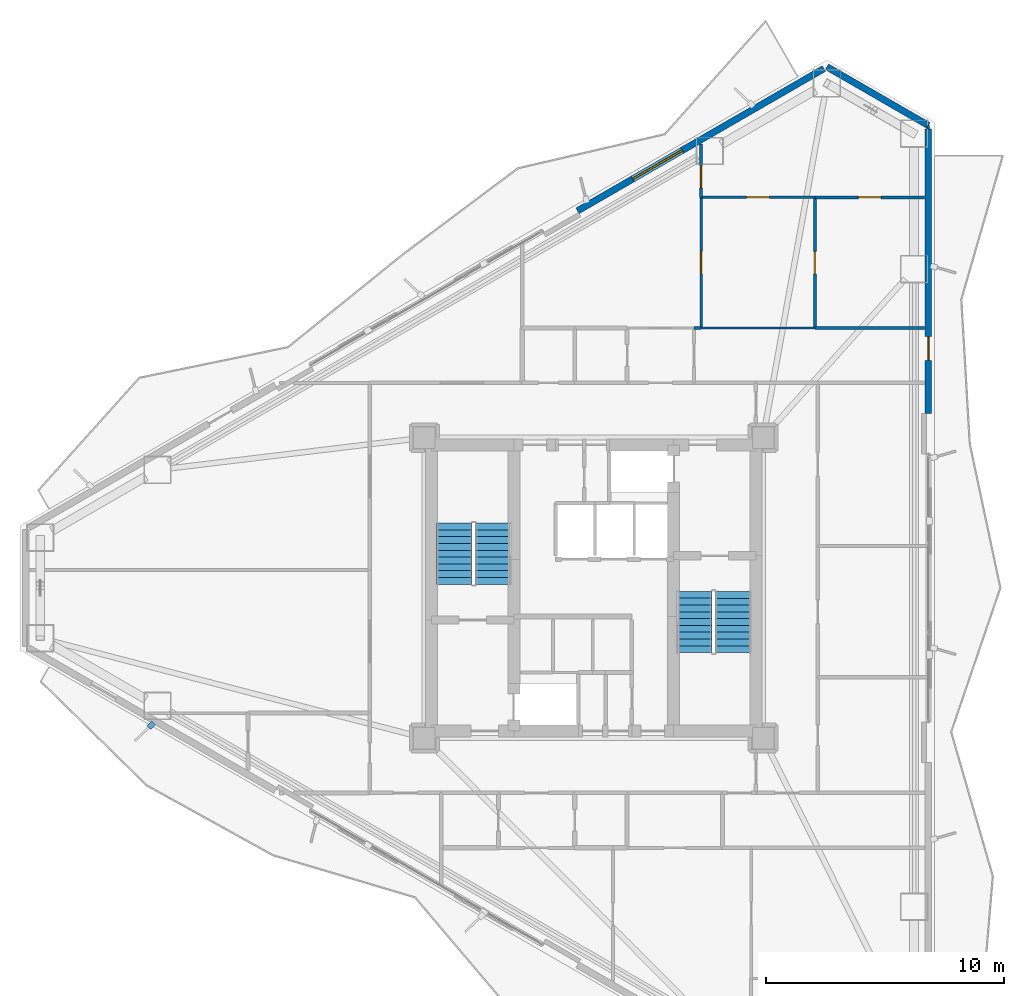
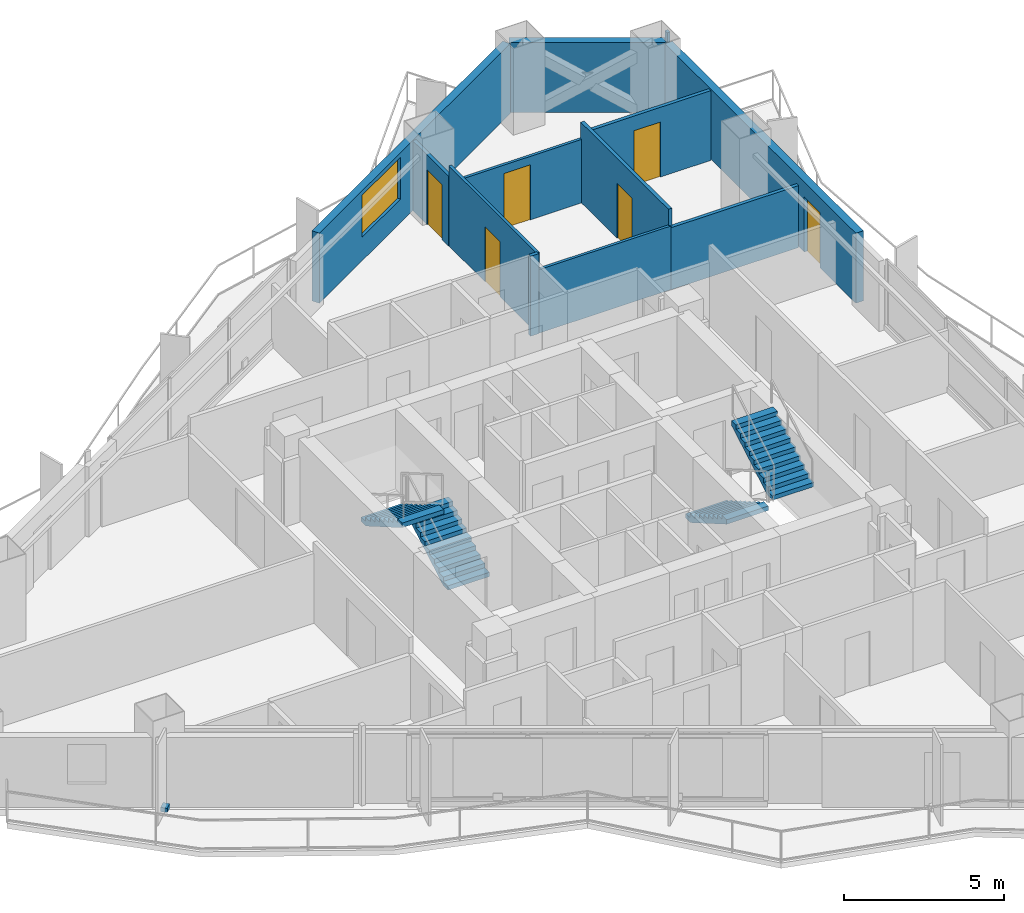
# One storey, part 19 of 22: 12 walls, 6 doors, 4 stair flights, 1 discrete accessory, 1 window, 7 openings, 2 elements without a shape of their own.
"""IFC4 building model written with IfcOpenShell, lengths in metres."""

from ifc_helpers import new_model, si_unit, direction, frame, frame_2d, origin, origin_2d, place, context, subcontext, project, spatial, polyline, rectangle, outline, extrude, material, layer, layer_set, type_object, element, fill, aggregate, save


model = new_model("IFC4")

# Units and contexts
model_context = context("Model", 3, precision=1e-05, world=origin(), true_north=direction((0.0, 1.0)))
body_context = subcontext(model_context, "Body", "Model", "MODEL_VIEW")
ifc_project = project(units=[si_unit("LENGTHUNIT", "METRE"), si_unit("AREAUNIT", "SQUARE_METRE"), si_unit("VOLUMEUNIT", "CUBIC_METRE"), si_unit("PLANEANGLEUNIT", "RADIAN"), si_unit("MASSUNIT", "GRAM", prefix="KILO")], contexts=[model_context])

# Site, building, storey
site_placement = place(None, origin())
site = spatial("IfcSite", under=ifc_project, at=site_placement, CompositionType="ELEMENT")
building_placement = place(site_placement, origin())
building = spatial("IfcBuilding", under=site, at=building_placement, Name="Mersakhor Tower and Convention Hall", CompositionType="ELEMENT")
storey_placement = place(building_placement, frame((0.0, 0.0, 86.699951171875)))
storey = spatial("IfcBuildingStorey", under=building, at=storey_placement, Name="L23", CompositionType="ELEMENT", Elevation=86.699951171875)

# Wall
ifc_material_1 = material(Name="Precast concrete C45/55", Category="concrete")
ifc_layer_1 = layer(ifc_material_1, 0.27490234375)
ifc_layer_set_1 = layer_set([ifc_layer_1], Name="Precast concrete C45/55")
wall_type_1 = type_object("IfcWallType", Name="WL-EXT-275", PredefinedType="SOLIDWALL", material=ifc_layer_set_1)
wall_1_placement = place(storey_placement, frame((38.77880859375, 48.6015625, 0.0), z_axis=(0.0, 0.0, 1.0), x_axis=(0.866011848704, -0.500023477353, 0.0)))
element("IfcWall", 1, at=wall_1_placement, inside=storey, type_object=wall_type_1, Name="L23 Chamfer Braced Spandrel Wall C1", PredefinedType="SOLIDWALL", context=body_context, shape_type="SweptSolid", body=[
    extrude(rectangle(XDim=4.914306640625, YDim=0.27490234375, at=frame_2d((2.45703125, 0.0))), origin(), (0.0, 0.0, 1.0), 2.670166015625),
])

# Wall, opening, window
wall_2_placement = place(storey_placement, frame((28.3173828125, 42.561767578125, 0.0), z_axis=(0.0, 0.0, 1.0), x_axis=(0.866023023012, 0.500004123596, 0.0)))
wall_2 = element("IfcWall", 2, at=wall_2_placement, inside=storey, type_object=wall_type_1, Name="L23 Exterior Facade Wall F1-B3", PredefinedType="SOLIDWALL", context=body_context, shape_type="SweptSolid", body=[
    extrude(rectangle(XDim=11.9296875, YDim=0.27490234375, at=frame_2d((5.96484375, 0.0))), origin(), (0.0, 0.0, 1.0), 2.670166015625),
])
opening_1_placement = place(wall_2_placement, frame((2.66796875, 0.0, 0.89990234375)))
opening_1 = element("IfcOpeningElement", 3, at=opening_1_placement, cuts=wall_2, Name="Opening W-05", PredefinedType="OPENING", context=body_context, shape_type="SweptSolid", body=[
    extrude(rectangle(XDim=2.39990234375, YDim=1.60009765625, at=frame_2d((1.199951171875, 0.800048828125))), frame((0.0, 0.1474609375, 0.0), z_axis=(0.0, -1.0, 0.0), x_axis=(1.0, 0.0, 0.0)), (0.0, 0.0, 1.0), 0.294921875),
])
ifc_material_2 = material(Name="Dark solar low-E glazed aluminium window", Category="aluminium")
window_type = type_object("IfcWindowType", Name="WN-RES-240x160", PartitioningType="SINGLE_PANEL", PredefinedType="WINDOW", material=ifc_material_2)
window_placement = place(opening_1_placement, origin())
window = element("IfcWindow", 4, at=window_placement, inside=storey, type_object=window_type, Name="L23 Facade Punched Window F1-B3", OverallHeight=1.60009765625, OverallWidth=2.39990234375, PartitioningType="SINGLE_PANEL", PredefinedType="WINDOW", context=body_context, shape_type="SweptSolid", body=[
    extrude(rectangle(XDim=2.39990234375, YDim=1.60009765625, at=frame_2d((1.199951171875, 0.800048828125))), frame((0.0, 0.030029296875, 0.0), z_axis=(0.0, -1.0, 0.0), x_axis=(1.0, 0.0, 0.0)), (0.0, 0.0, 1.0), 0.06005859375),
])
fill(opening_1, window)

# Wall, opening, door
wall_3_placement = place(storey_placement, frame((43.03466796875, 45.994384765625, 0.0), z_axis=(0.0, 0.0, 1.0), x_axis=(0.0, -1.0, 0.0)))
wall_3 = element("IfcWall", 5, at=wall_3_placement, inside=storey, type_object=wall_type_1, Name="L23 Exterior Facade Wall F2-B1", PredefinedType="SOLIDWALL", context=body_context, shape_type="SweptSolid", body=[
    extrude(rectangle(XDim=11.9296875, YDim=0.27490234375, at=frame_2d((5.96484375, 0.0))), origin(), (0.0, 0.0, 1.0), 2.670166015625),
])
opening_2_placement = place(wall_3_placement, frame((8.7041015625, 0.0, 0.0)))
opening_2 = element("IfcOpeningElement", 6, at=opening_2_placement, cuts=wall_3, Name="Opening BD-01", PredefinedType="OPENING", context=body_context, shape_type="SweptSolid", body=[
    extrude(rectangle(XDim=1.0, YDim=2.10009765625, at=frame_2d((0.5, 1.050048828125))), frame((0.0, 0.1474609375, 0.0), z_axis=(0.0, -1.0, 0.0), x_axis=(1.0, 0.0, 0.0)), (0.0, 0.0, 1.0), 0.294921875),
])
ifc_material_3 = material(Name="Thermally broken dark aluminium and safety glass", Category="aluminium")
door_type_1 = type_object("IfcDoorType", Name="DR-BAL-100x210", OperationType="NOTDEFINED", PredefinedType="DOOR", material=ifc_material_3)
door_1_placement = place(opening_2_placement, origin())
door_1 = element("IfcDoor", 7, at=door_1_placement, inside=storey, type_object=door_type_1, Name="L23 Balcony Terrace Door F2-B1", OperationType="SINGLE_SWING_LEFT", OverallHeight=2.10009765625, OverallWidth=1.0, PredefinedType="DOOR", context=body_context, shape_type="SweptSolid", body=[
    extrude(rectangle(XDim=1.0, YDim=2.10009765625, at=frame_2d((0.5, 1.050048828125))), frame((0.0, 0.02490234375, 0.0), z_axis=(0.0, -1.0, 0.0), x_axis=(1.0, 0.0, 0.0)), (0.0, 0.0, 1.0), 0.050048828125),
])
fill(opening_2, door_1)

# Wall
ifc_material_4 = material(Name="Lightweight gypsum partition", Category="other")
ifc_layer_2 = layer(ifc_material_4, 0.10009765625)
ifc_layer_set_2 = layer_set([ifc_layer_2], Name="Lightweight gypsum partition")
wall_type_2 = type_object("IfcWallType", Name="WL-PRT-100", PredefinedType="PARTITIONING", material=ifc_layer_set_2)
wall_4_placement = place(storey_placement, frame((33.5, 37.64990234375, 0.0), z_axis=(0.0, 0.0, 1.0), x_axis=(1.0, 0.0, 0.0)))
element("IfcWall", 8, at=wall_4_placement, inside=storey, type_object=wall_type_2, Name="L23 Interior Partition Wall P-076", PredefinedType="PARTITIONING", context=body_context, shape_type="SweptSolid", body=[
    extrude(rectangle(XDim=4.77001953125, YDim=0.10009765625, at=frame_2d((2.385009765625, 0.0))), origin(), (0.0, 0.0, 1.0), 2.4228515625),
])

# Wall, opening, door
wall_5_placement = place(storey_placement, frame((33.5, 43.1298828125, 0.0), z_axis=(0.0, 0.0, 1.0), x_axis=(0.0, -1.0, 0.0)))
wall_5 = element("IfcWall", 9, at=wall_5_placement, inside=storey, type_object=wall_type_2, Name="L23 Interior Partition Wall P-098", PredefinedType="PARTITIONING", context=body_context, shape_type="SweptSolid", body=[
    extrude(rectangle(XDim=5.47998046875, YDim=0.10009765625, at=frame_2d((2.739990234375, 0.0))), origin(), (0.0, 0.0, 1.0), 3.050048828125),
])
opening_3_placement = place(wall_5_placement, frame((2.264892578125, 0.0, 0.0)))
opening_3 = element("IfcOpeningElement", 10, at=opening_3_placement, cuts=wall_5, Name="Opening RD-01", PredefinedType="OPENING", context=body_context, shape_type="SweptSolid", body=[
    extrude(rectangle(XDim=0.949951171875, YDim=2.10009765625, at=frame_2d((0.47509765625, 1.050048828125))), frame((0.0, 0.06005859375, 0.0), z_axis=(0.0, -1.0, 0.0), x_axis=(1.0, 0.0, 0.0)), (0.0, 0.0, 1.0), 0.1201171875),
])
ifc_material_5 = material(Name="Solid-core hardwood leaf in painted steel frame", Category="steel")
door_type_2 = type_object("IfcDoorType", Name="DR-INT-RM-095x210", OperationType="NOTDEFINED", PredefinedType="DOOR", material=ifc_material_5)
door_2_placement = place(opening_3_placement, origin())
door_2 = element("IfcDoor", 11, at=door_2_placement, inside=storey, type_object=door_type_2, Name="L23 L23 Flat N1 Living and Dining Room to L23 Flat N1 Bedroom 1 Door", OperationType="SINGLE_SWING_LEFT", OverallHeight=2.10009765625, OverallWidth=0.949951171875, PredefinedType="DOOR", context=body_context, shape_type="SweptSolid", body=[
    extrude(rectangle(XDim=0.949951171875, YDim=2.10009765625, at=frame_2d((0.47509765625, 1.050048828125))), frame((0.0, 0.02490234375, 0.0), z_axis=(0.0, -1.0, 0.0), x_axis=(1.0, 0.0, 0.0)), (0.0, 0.0, 1.0), 0.050048828125),
])
fill(opening_3, door_2)

wall_6_placement = place(storey_placement, frame((33.5, 43.1298828125, 0.0), z_axis=(0.0, 0.0, 1.0), x_axis=(1.0, 0.0, 0.0)))
wall_6 = element("IfcWall", 12, at=wall_6_placement, inside=storey, type_object=wall_type_2, Name="L23 Interior Partition Wall P-100", PredefinedType="PARTITIONING", context=body_context, shape_type="SweptSolid", body=[
    extrude(rectangle(XDim=4.77001953125, YDim=0.10009765625, at=frame_2d((2.385009765625, 0.0))), origin(), (0.0, 0.0, 1.0), 2.4228515625),
])
opening_4_placement = place(wall_6_placement, frame((1.909912109375, 0.0, 0.0)))
opening_4 = element("IfcOpeningElement", 13, at=opening_4_placement, cuts=wall_6, Name="Opening RD-01", PredefinedType="OPENING", context=body_context, shape_type="SweptSolid", body=[
    extrude(rectangle(XDim=0.949951171875, YDim=2.10009765625, at=frame_2d((0.47509765625, 1.050048828125))), frame((0.0, 0.06005859375, 0.0), z_axis=(0.0, -1.0, 0.0), x_axis=(1.0, 0.0, 0.0)), (0.0, 0.0, 1.0), 0.1201171875),
])
door_3_placement = place(opening_4_placement, origin())
door_3 = element("IfcDoor", 14, at=door_3_placement, inside=storey, type_object=door_type_2, Name="L23 L23 Flat N1 Bedroom 1 to L23 Flat N1 Dining Room Door", OperationType="SINGLE_SWING_RIGHT", OverallHeight=2.10009765625, OverallWidth=0.949951171875, PredefinedType="DOOR", context=body_context, shape_type="SweptSolid", body=[
    extrude(rectangle(XDim=0.949951171875, YDim=2.10009765625, at=frame_2d((0.47509765625, 1.050048828125))), frame((0.0, 0.02490234375, 0.0), z_axis=(0.0, -1.0, 0.0), x_axis=(1.0, 0.0, 0.0)), (0.0, 0.0, 1.0), 0.050048828125),
])
fill(opening_4, door_3)

# Walls
wall_7_placement = place(storey_placement, frame((43.034912109375, 46.14404296875, 0.0), z_axis=(0.0, 0.0, 1.0), x_axis=(0.0, -1.0, 0.0)))
element("IfcWall", 15, at=wall_7_placement, inside=storey, type_object=wall_type_2, Name="L23 Interior Partition Wall P-102", PredefinedType="PARTITIONING", context=body_context, shape_type="SweptSolid", body=[
    extrude(rectangle(XDim=0.149658203125, YDim=0.10009765625, at=frame_2d((0.07470703125, 0.0))), origin(), (0.0, 0.0, 1.0), 3.050048828125),
])
ifc_material_6 = material(Name="Gypsum board acoustic partition", Category="other")
ifc_layer_3 = layer(ifc_material_6, 0.125)
ifc_layer_set_3 = layer_set([ifc_layer_3], Name="Gypsum board acoustic partition")
wall_type_3 = type_object("IfcWallType", Name="WL-PRT-125", PredefinedType="PARTITIONING", material=ifc_layer_set_3)
wall_8_placement = place(storey_placement, frame((33.199951171875, 37.64990234375, 0.0), z_axis=(0.0, 0.0, 1.0), x_axis=(1.0, 0.0, 0.0)))
element("IfcWall", 16, at=wall_8_placement, inside=storey, type_object=wall_type_3, Name="L23 Interior Partition Wall P-075", PredefinedType="PARTITIONING", context=body_context, shape_type="SweptSolid", body=[
    extrude(rectangle(XDim=0.300048828125, YDim=0.125, at=frame_2d((0.14990234375, 0.0))), origin(), (0.0, 0.0, 1.0), 3.050048828125),
])
wall_9_placement = place(storey_placement, frame((38.27001953125, 37.64990234375, 0.0), z_axis=(0.0, 0.0, 1.0), x_axis=(1.0, 0.0, 0.0)))
element("IfcWall", 17, at=wall_9_placement, inside=storey, type_object=wall_type_3, Name="L23 Interior Partition Wall P-077", PredefinedType="PARTITIONING", context=body_context, shape_type="SweptSolid", body=[
    extrude(rectangle(XDim=4.60302734375, YDim=0.125, at=frame_2d((2.301513671875, 0.0))), origin(), (0.0, 0.0, 1.0), 2.364990234375),
])

# Wall, opening, door
wall_10_placement = place(storey_placement, frame((33.5, 45.3671875, 0.0), z_axis=(0.0, 0.0, 1.0), x_axis=(0.0, -1.0, 0.0)))
wall_10 = element("IfcWall", 18, at=wall_10_placement, inside=storey, type_object=wall_type_3, Name="L23 Interior Partition Wall P-097", PredefinedType="PARTITIONING", context=body_context, shape_type="SweptSolid", body=[
    extrude(rectangle(XDim=2.2373046875, YDim=0.125, at=frame_2d((1.11865234375, 0.0))), origin(), (0.0, 0.0, 1.0), 2.660400390625),
])
opening_5_placement = place(wall_10_placement, frame((0.897216796875, 0.0, 0.0)))
opening_5 = element("IfcOpeningElement", 19, at=opening_5_placement, cuts=wall_10, Name="Opening RD-01", PredefinedType="OPENING", context=body_context, shape_type="SweptSolid", body=[
    extrude(rectangle(XDim=0.949951171875, YDim=2.10009765625, at=frame_2d((0.47509765625, 1.050048828125))), frame((0.0, 0.072509765625, 0.0), z_axis=(0.0, -1.0, 0.0), x_axis=(1.0, 0.0, 0.0)), (0.0, 0.0, 1.0), 0.14501953125),
])
door_4_placement = place(opening_5_placement, origin())
door_4 = element("IfcDoor", 20, at=door_4_placement, inside=storey, type_object=door_type_2, Name="L23 L23 Flat N1 Living and Dining Room to L23 Flat N1 Dining Room Door", OperationType="SINGLE_SWING_RIGHT", OverallHeight=2.10009765625, OverallWidth=0.949951171875, PredefinedType="DOOR", context=body_context, shape_type="SweptSolid", body=[
    extrude(rectangle(XDim=0.949951171875, YDim=2.10009765625, at=frame_2d((0.47509765625, 1.050048828125))), frame((0.0, 0.02490234375, 0.0), z_axis=(0.0, -1.0, 0.0), x_axis=(1.0, 0.0, 0.0)), (0.0, 0.0, 1.0), 0.050048828125),
])
fill(opening_5, door_4)

wall_11_placement = place(storey_placement, frame((38.27001953125, 43.1298828125, 0.0), z_axis=(0.0, 0.0, 1.0), x_axis=(0.0, -1.0, 0.0)))
wall_11 = element("IfcWall", 21, at=wall_11_placement, inside=storey, type_object=wall_type_3, Name="L23 Interior Partition Wall P-099", PredefinedType="PARTITIONING", context=body_context, shape_type="SweptSolid", body=[
    extrude(rectangle(XDim=5.47998046875, YDim=0.125, at=frame_2d((2.739990234375, 0.0))), origin(), (0.0, 0.0, 1.0), 3.050048828125),
])
opening_6_placement = place(wall_11_placement, frame((2.264892578125, 0.0, 0.0)))
opening_6 = element("IfcOpeningElement", 22, at=opening_6_placement, cuts=wall_11, Name="Opening RD-01", PredefinedType="OPENING", context=body_context, shape_type="SweptSolid", body=[
    extrude(rectangle(XDim=0.949951171875, YDim=2.10009765625, at=frame_2d((0.47509765625, 1.050048828125))), frame((0.0, 0.072509765625, 0.0), z_axis=(0.0, -1.0, 0.0), x_axis=(1.0, 0.0, 0.0)), (0.0, 0.0, 1.0), 0.14501953125),
])
door_5_placement = place(opening_6_placement, origin())
door_5 = element("IfcDoor", 23, at=door_5_placement, inside=storey, type_object=door_type_2, Name="L23 L23 Flat N1 Bedroom 1 to L23 Flat N1 Study Room Door", OperationType="SINGLE_SWING_LEFT", OverallHeight=2.10009765625, OverallWidth=0.949951171875, PredefinedType="DOOR", context=body_context, shape_type="SweptSolid", body=[
    extrude(rectangle(XDim=0.949951171875, YDim=2.10009765625, at=frame_2d((0.47509765625, 1.050048828125))), frame((0.0, 0.02490234375, 0.0), z_axis=(0.0, -1.0, 0.0), x_axis=(1.0, 0.0, 0.0)), (0.0, 0.0, 1.0), 0.050048828125),
])
fill(opening_6, door_5)

wall_12_placement = place(storey_placement, frame((38.27001953125, 43.1298828125, 0.0), z_axis=(0.0, 0.0, 1.0), x_axis=(1.0, 0.0, 0.0)))
wall_12 = element("IfcWall", 24, at=wall_12_placement, inside=storey, type_object=wall_type_3, Name="L23 Interior Partition Wall P-101", PredefinedType="PARTITIONING", context=body_context, shape_type="SweptSolid", body=[
    extrude(rectangle(XDim=4.60302734375, YDim=0.125, at=frame_2d((2.301513671875, 0.0))), origin(), (0.0, 0.0, 1.0), 2.660400390625),
])
opening_7_placement = place(wall_12_placement, frame((1.826416015625, 0.0, 0.0)))
opening_7 = element("IfcOpeningElement", 25, at=opening_7_placement, cuts=wall_12, Name="Opening RD-01", PredefinedType="OPENING", context=body_context, shape_type="SweptSolid", body=[
    extrude(rectangle(XDim=0.949951171875, YDim=2.10009765625, at=frame_2d((0.47509765625, 1.050048828125))), frame((0.0, 0.072509765625, 0.0), z_axis=(0.0, -1.0, 0.0), x_axis=(1.0, 0.0, 0.0)), (0.0, 0.0, 1.0), 0.14501953125),
])
door_6_placement = place(opening_7_placement, origin())
door_6 = element("IfcDoor", 26, at=door_6_placement, inside=storey, type_object=door_type_2, Name="L23 L23 Flat N1 Study Room to L23 Flat N1 Dining Room Door", OperationType="SINGLE_SWING_LEFT", OverallHeight=2.10009765625, OverallWidth=0.949951171875, PredefinedType="DOOR", context=body_context, shape_type="SweptSolid", body=[
    extrude(rectangle(XDim=0.949951171875, YDim=2.10009765625, at=frame_2d((0.47509765625, 1.050048828125))), frame((0.0, 0.02490234375, 0.0), z_axis=(0.0, -1.0, 0.0), x_axis=(1.0, 0.0, 0.0)), (0.0, 0.0, 1.0), 0.050048828125),
])
fill(opening_7, door_6)

# Stair, stair flights
ifc_material_7 = material(Name="Concrete C45/55", Category="concrete")
stair_type = type_object("IfcStairType", Name="ST-TWR-20R", PredefinedType="HALF_TURN_STAIR", material=ifc_material_7)
stair_1_placement = place(storey_placement, origin())
stair_1 = element("IfcStair", 27, at=stair_1_placement, inside=storey, type_object=stair_type, Name="L23 Tower Protected Exit Stair ST-1", PredefinedType="HALF_TURN_STAIR")
ifc_material_8 = material(Name="Concrete C45/55", Category="concrete")
stair_flight_type = type_object("IfcStairFlightType", Name="SFL-TWR-20R", PredefinedType="STRAIGHT", material=ifc_material_8)
stair_flight_1_placement = place(storey_placement, frame((24.800048828125, 26.89990234375, 0.0), z_axis=(0.0, 0.0, 1.0), x_axis=(0.0, 1.0, 0.0)))
stair_flight_1 = element("IfcStairFlight", 28, at=stair_flight_1_placement, type_object=stair_flight_type, Name="ST-1 flight 1", NumberOfRisers=10, NumberOfTreads=9, PredefinedType="STRAIGHT", RiserHeight=0.165, TreadLength=0.285, context=body_context, shape_type="SweptSolid", body=[
    extrude(outline(polyline([(0.0, 0.0), (0.0, 0.1650390625), (0.284912109375, 0.1650390625), (0.284912109375, 0.330078125), (0.570068359375, 0.330078125), (0.570068359375, 0.4951171875), (0.85498046875, 0.4951171875), (0.85498046875, 0.659912109375), (1.139892578125, 0.659912109375), (1.139892578125, 0.824951171875), (1.425048828125, 0.824951171875), (1.425048828125, 0.989990234375), (1.7099609375, 0.989990234375), (1.7099609375, 1.155029296875), (1.9951171875, 1.155029296875), (1.9951171875, 1.320068359375), (2.280029296875, 1.320068359375), (2.280029296875, 1.485107421875), (2.56494140625, 1.485107421875), (2.56494140625, 1.64990234375), (2.56494140625, 1.311767578125), (0.299072265625, 0.0), (0.0, 0.0)])), frame((0.0, 0.75, 0.0), z_axis=(0.0, -1.0, 0.0), x_axis=(1.0, 0.0, 0.0)), (0.0, 0.0, 1.0), 1.5),
])
stair_flight_2_placement = place(storey_placement, frame((23.14990234375, 29.465087890625, 1.650146484375), z_axis=(0.0, 0.0, 1.0), x_axis=(0.0, -1.0, 0.0)))
stair_flight_2 = element("IfcStairFlight", 29, at=stair_flight_2_placement, type_object=stair_flight_type, Name="ST-1 flight 2", NumberOfRisers=10, NumberOfTreads=9, PredefinedType="STRAIGHT", RiserHeight=0.165, TreadLength=0.285, context=body_context, shape_type="SweptSolid", body=[
    extrude(outline(polyline([(0.0, 0.0), (0.0, 0.1650390625), (0.284912109375, 0.1650390625), (0.284912109375, 0.330078125), (0.570068359375, 0.330078125), (0.570068359375, 0.4951171875), (0.85498046875, 0.4951171875), (0.85498046875, 0.659912109375), (1.139892578125, 0.659912109375), (1.139892578125, 0.824951171875), (1.425048828125, 0.824951171875), (1.425048828125, 0.989990234375), (1.7099609375, 0.989990234375), (1.7099609375, 1.155029296875), (1.9951171875, 1.155029296875), (1.9951171875, 1.320068359375), (2.280029296875, 1.320068359375), (2.280029296875, 1.485107421875), (2.56494140625, 1.485107421875), (2.56494140625, 1.64990234375), (2.56494140625, 1.311767578125), (0.299072265625, 0.0), (0.0, 0.0)])), frame((0.0, 0.75, 0.0), z_axis=(0.0, -1.0, 0.0), x_axis=(1.0, 0.0, 0.0)), (0.0, 0.0, 1.0), 1.5),
])
aggregate(stair_1, [stair_flight_1, stair_flight_2])

stair_2_placement = place(storey_placement, origin())
stair_2 = element("IfcStair", 30, at=stair_2_placement, inside=storey, type_object=stair_type, Name="L23 Tower Protected Exit Stair ST-2", PredefinedType="HALF_TURN_STAIR")
stair_flight_3_placement = place(storey_placement, frame((33.199951171875, 26.60009765625, 0.0), z_axis=(0.0, 0.0, 1.0), x_axis=(0.0, -1.0, 0.0)))
stair_flight_3 = element("IfcStairFlight", 31, at=stair_flight_3_placement, type_object=stair_flight_type, Name="ST-2 flight 1", NumberOfRisers=10, NumberOfTreads=9, PredefinedType="STRAIGHT", RiserHeight=0.165, TreadLength=0.285, context=body_context, shape_type="SweptSolid", body=[
    extrude(outline(polyline([(0.0, 0.0), (0.0, 0.1650390625), (0.284912109375, 0.1650390625), (0.284912109375, 0.330078125), (0.570068359375, 0.330078125), (0.570068359375, 0.4951171875), (0.85498046875, 0.4951171875), (0.85498046875, 0.659912109375), (1.139892578125, 0.659912109375), (1.139892578125, 0.824951171875), (1.425048828125, 0.824951171875), (1.425048828125, 0.989990234375), (1.7099609375, 0.989990234375), (1.7099609375, 1.155029296875), (1.9951171875, 1.155029296875), (1.9951171875, 1.320068359375), (2.280029296875, 1.320068359375), (2.280029296875, 1.485107421875), (2.56494140625, 1.485107421875), (2.56494140625, 1.64990234375), (2.56494140625, 1.311767578125), (0.299072265625, 0.0), (0.0, 0.0)])), frame((0.0, 0.75, 0.0), z_axis=(0.0, -1.0, 0.0), x_axis=(1.0, 0.0, 0.0)), (0.0, 0.0, 1.0), 1.5),
])
stair_flight_4_placement = place(storey_placement, frame((34.85009765625, 24.034912109375, 1.650146484375), z_axis=(0.0, 0.0, 1.0), x_axis=(0.0, 1.0, 0.0)))
stair_flight_4 = element("IfcStairFlight", 32, at=stair_flight_4_placement, type_object=stair_flight_type, Name="ST-2 flight 2", NumberOfRisers=10, NumberOfTreads=9, PredefinedType="STRAIGHT", RiserHeight=0.165, TreadLength=0.285, context=body_context, shape_type="SweptSolid", body=[
    extrude(outline(polyline([(0.0, 0.0), (0.0, 0.1650390625), (0.284912109375, 0.1650390625), (0.284912109375, 0.330078125), (0.570068359375, 0.330078125), (0.570068359375, 0.4951171875), (0.85498046875, 0.4951171875), (0.85498046875, 0.659912109375), (1.139892578125, 0.659912109375), (1.139892578125, 0.824951171875), (1.425048828125, 0.824951171875), (1.425048828125, 0.989990234375), (1.7099609375, 0.989990234375), (1.7099609375, 1.155029296875), (1.9951171875, 1.155029296875), (1.9951171875, 1.320068359375), (2.280029296875, 1.320068359375), (2.280029296875, 1.485107421875), (2.56494140625, 1.485107421875), (2.56494140625, 1.64990234375), (2.56494140625, 1.311767578125), (0.299072265625, 0.0), (0.0, 0.0)])), frame((0.0, 0.75, 0.0), z_axis=(0.0, -1.0, 0.0), x_axis=(1.0, 0.0, 0.0)), (0.0, 0.0, 1.0), 1.5),
])
aggregate(stair_2, [stair_flight_3, stair_flight_4])

# Discrete accessory
ifc_material_9 = material(Name="Galvanised steel bracket", Category="steel")
ifc_layer_4 = layer(ifc_material_9, 0.02001953125)
ifc_layer_set_4 = layer_set([ifc_layer_4], Name="Galvanised steel bracket")
discrete_accessory_type = type_object("IfcDiscreteAccessoryType", Name="ACC-BRK-STL", PredefinedType="BRACKET", material=ifc_layer_set_4)
discrete_accessory_placement = place(storey_placement, frame((10.44091796875, 20.993896484375, -0.02001953125), z_axis=(0.0, 0.0, 1.0), x_axis=(-0.719339800339, -0.694658370459, 0.0)))
element("IfcDiscreteAccessory", 33, at=discrete_accessory_placement, inside=storey, type_object=discrete_accessory_type, Name="L23 Facade Fin Base Cleat Bracket FBRK-3-4", PredefinedType="BRACKET", context=body_context, shape_type="SweptSolid", body=[
    extrude(rectangle(XDim=0.280029296875, YDim=0.219970703125, at=origin_2d()), origin(), (0.0, 0.0, 1.0), 0.159912109375),
])

save(model, "model.ifc")
